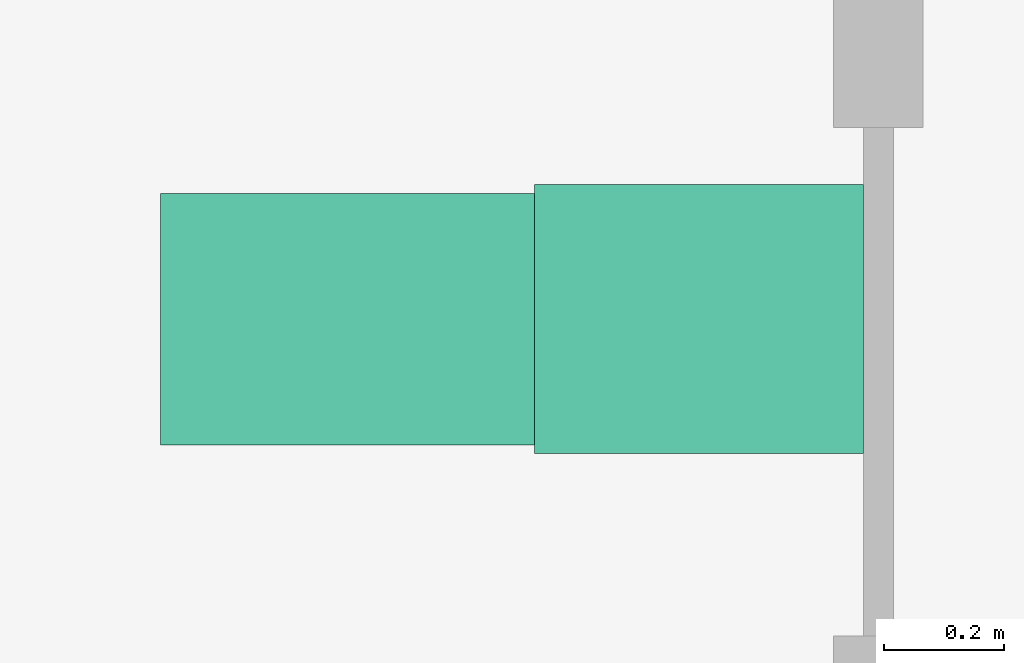
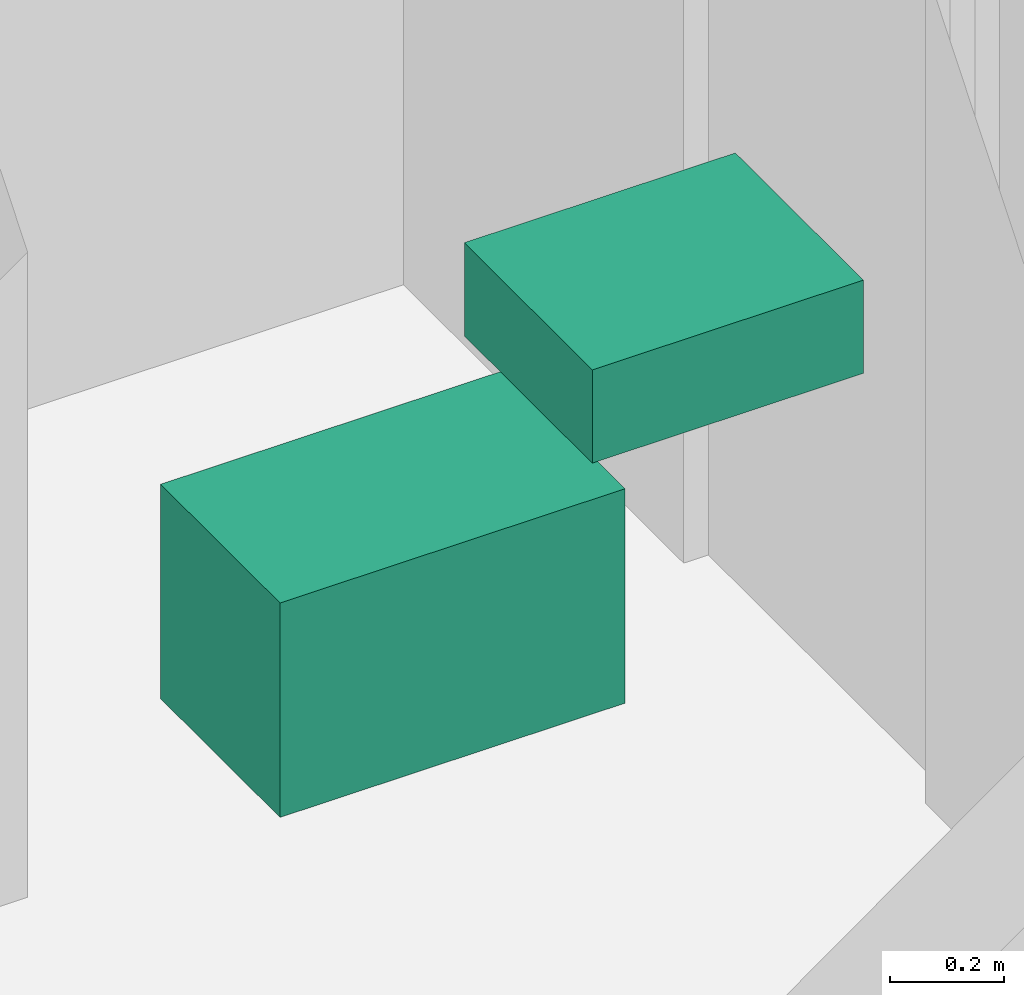
# One storey, part 28 of 28: 2 sanitary terminals.
"""IFC4 building model written with IfcOpenShell, lengths in metres."""

import ifcopenshell
import ifcopenshell.guid

model = None  # the IFC model being written
_history = None  # IfcOwnerHistory: only IFC2X3 demands one
_inside = {}  # id of a spatial element -> (the spatial element, [elements in it])
_under = {}  # id of a project, library or spatial element -> (it, [spatial elements below it])
_declared = {}  # id of a project -> (the project, [libraries it declares])
_typed = {}  # id of a type object -> (the type object, [elements of that type])
_made_of = {}  # id of a material, layer set ... -> (it, [elements and type objects made of it])


def new_model(schema):
    """Start an empty IFC model of exactly this schema.

    Asked for "IFC4X3", IfcOpenShell would pick the latest addendum, in which some entities
    have other attributes; the version numbers below select the first issue.
    IFC2X3 requires an IfcOwnerHistory on every rooted entity: one is made here for all.
    """
    global model, _history
    if schema == "IFC4X3":
        model = ifcopenshell.file(schema_version=(4, 3, 0, 0))
    else:
        model = ifcopenshell.file(schema=schema)
    _inside.clear()
    _under.clear()
    _declared.clear()
    _typed.clear()
    _made_of.clear()
    _history = None
    if model.schema == "IFC2X3":
        org = make("IfcOrganization", Name="unknown")
        user = make(
            "IfcPersonAndOrganization",
            ThePerson=make("IfcPerson", FamilyName="unknown"),
            TheOrganization=org,
        )
        app = make(
            "IfcApplication",
            ApplicationDeveloper=org,
            Version="unknown",
            ApplicationFullName="unknown",
            ApplicationIdentifier="unknown",
        )
        _history = make(
            "IfcOwnerHistory",
            OwningUser=user,
            OwningApplication=app,
            ChangeAction="ADDED",
            CreationDate=0,
        )
    return model


def make(cls, **values):
    """One entity of the class cls with the attributes given. An attribute that is None is left unset."""
    return model.create_entity(
        cls, **{name: value for name, value in values.items() if value is not None}
    )


def rooted(cls, **values):
    """An entity with a GlobalId (a new one), such as an element, a storey or a relation."""
    return make(cls, GlobalId=ifcopenshell.guid.new(), OwnerHistory=_history, **values)


def si_unit(unit_type, name, prefix=None):
    """IfcSIUnit, for example si_unit("LENGTHUNIT", "METRE", prefix="MILLI")."""
    return make("IfcSIUnit", UnitType=unit_type, Prefix=prefix, Name=name)


def assignment(units):
    """IfcUnitAssignment: the units of a project."""
    return None if units is None else make("IfcUnitAssignment", Units=units)


def point(xyz):
    """IfcCartesianPoint."""
    return None if xyz is None else make("IfcCartesianPoint", Coordinates=xyz)


def direction(xyz):
    """IfcDirection."""
    return None if xyz is None else make("IfcDirection", DirectionRatios=xyz)


def frame(location, z_axis=None, x_axis=None):
    """IfcAxis2Placement3D, a coordinate frame: its origin and axes. An axis left out is left unset."""
    return make(
        "IfcAxis2Placement3D",
        Location=point(location),
        Axis=direction(z_axis),
        RefDirection=direction(x_axis),
    )


def frame_2d(location, x_axis=None):
    """IfcAxis2Placement2D, a coordinate frame in the plane: its origin and x axis."""
    return make(
        "IfcAxis2Placement2D", Location=point(location), RefDirection=direction(x_axis)
    )


def origin():
    """The frame at (0, 0, 0) with its axes left unset."""
    return frame((0.0, 0.0, 0.0))


def origin_2d():
    """The frame at (0, 0) in the plane with its x axis left unset."""
    return frame_2d((0.0, 0.0))


def place(relative_to, where):
    """IfcLocalPlacement: puts the frame where relative to a parent placement (None: the world)."""
    return make(
        "IfcLocalPlacement", PlacementRelTo=relative_to, RelativePlacement=where
    )


def context(
    kind, dimensions, precision=None, world=None, true_north=None, identifier=None
):
    """IfcGeometricRepresentationContext, for example the 3D "Model" context."""
    return make(
        "IfcGeometricRepresentationContext",
        ContextIdentifier=identifier,
        ContextType=kind,
        CoordinateSpaceDimension=dimensions,
        Precision=precision,
        WorldCoordinateSystem=world,
        TrueNorth=true_north,
    )


def subcontext(parent, identifier, kind, view, scale=None):
    """IfcGeometricRepresentationSubContext, for example "Body" below "Model"."""
    return make(
        "IfcGeometricRepresentationSubContext",
        ContextIdentifier=identifier,
        ContextType=kind,
        ParentContext=parent,
        TargetScale=scale,
        TargetView=view,
    )


def project(units=None, contexts=None):
    """IfcProject with its units and contexts."""
    return rooted(
        "IfcProject",
        Name="project",
        RepresentationContexts=contexts,
        UnitsInContext=assignment(units),
    )


def spatial(cls, under=None, at=None, **own):
    """A site, building, storey or space (cls), placed at a placement, below another one or the project."""
    s = rooted(cls, ObjectPlacement=at, **own)
    if under is not None:
        _under.setdefault(under.id(), (under, []))[1].append(s)
    return s


def profile(cls, at=None, kind="AREA", **sizes):
    """A parametric profile (cls). Its sizes go by their IFC names, for example OverallWidth=200.0."""
    return make(cls, ProfileType=kind, Position=at, **sizes)


def rectangle(**sizes):
    """IfcRectangleProfileDef."""
    return profile("IfcRectangleProfileDef", **sizes)


def extrude(swept, where, along, depth):
    """IfcExtrudedAreaSolid: the profile swept, set in the frame where, extruded along a direction by depth."""
    return make(
        "IfcExtrudedAreaSolid",
        SweptArea=swept,
        Position=where,
        ExtrudedDirection=direction(along),
        Depth=depth,
    )


def shape(context_of_items, identifier, shape_type, items):
    """IfcShapeRepresentation: the items that make up one representation, for example the "Body"."""
    return make(
        "IfcShapeRepresentation",
        ContextOfItems=context_of_items,
        RepresentationIdentifier=identifier,
        RepresentationType=shape_type,
        Items=items,
    )


def material(Name=None, Category=None):
    """IfcMaterial."""
    return make("IfcMaterial", Name=Name, Category=Category)


def made_of(thing, what):
    """Note that an element or type object is made of a material, layer set ...; save() writes the relation."""
    if what is not None:
        _made_of.setdefault(what.id(), (what, []))[1].append(thing)
    return thing


def type_object(cls, material=None, **own):
    """A type object (cls), such as IfcWallType, which elements share."""
    return made_of(rooted(cls, **own), material)


def element(
    cls,
    number,
    at=None,
    inside=None,
    cuts=None,
    type_object=None,
    material=None,
    context=None,
    identifier="Body",
    shape_type=None,
    held_by="IfcProductDefinitionShape",
    body=None,
    shapes=None,
    **own,
):
    """One element of the class cls, such as IfcWall. Its Tag is "e" and its number.

    at: its placement. inside: the storey or other place that contains it. cuts: it is an
    opening in that element (IfcRelVoidsElement). A single representation is given by context,
    identifier, shape_type and body (its items); several are given by shapes. held_by: the class
    of the entity that holds the representations. save() writes the other relations.
    """
    e = rooted(cls, Tag="e%d" % number, ObjectPlacement=at, **own)
    if body is not None:
        shapes = [shape(context, identifier, shape_type, body)]
    if shapes is not None:
        e.Representation = make(held_by, Representations=shapes)
    if inside is not None:
        _inside.setdefault(inside.id(), (inside, []))[1].append(e)
    if cuts is not None:
        rooted(
            "IfcRelVoidsElement", RelatingBuildingElement=cuts, RelatedOpeningElement=e
        )
    if type_object is not None:
        _typed.setdefault(type_object.id(), (type_object, []))[1].append(e)
    return made_of(e, material)


def aggregate(whole, parts):
    """IfcRelAggregates: a whole, such as a stair, and the parts it consists of."""
    return rooted("IfcRelAggregates", RelatingObject=whole, RelatedObjects=parts)


def save(model, path):
    """Write the relations noted so far, then the file.

    IfcRelAggregates (storeys below a building ...), IfcRelContainedInSpatialStructure (elements
    in a storey), IfcRelDefinesByType, IfcRelAssociatesMaterial and IfcRelDeclares: one each for
    every whole, place, type object, material and project.
    """
    for whole, parts in _under.values():
        aggregate(whole, parts)
    for where, things in _inside.values():
        rooted(
            "IfcRelContainedInSpatialStructure",
            RelatedElements=things,
            RelatingStructure=where,
        )
    for kind, things in _typed.values():
        rooted("IfcRelDefinesByType", RelatedObjects=things, RelatingType=kind)
    for what, things in _made_of.values():
        rooted("IfcRelAssociatesMaterial", RelatedObjects=things, RelatingMaterial=what)
    for by, libraries in _declared.values():
        rooted("IfcRelDeclares", RelatingContext=by, RelatedDefinitions=libraries)
    model.write(path)


model = new_model("IFC4")

# Units and contexts
model_context = context("Model", 3, precision=1e-05, world=origin(), true_north=direction((0.0, 1.0)))
body_context = subcontext(model_context, "Body", "Model", "MODEL_VIEW")
ifc_project = project(units=[si_unit("LENGTHUNIT", "METRE"), si_unit("AREAUNIT", "SQUARE_METRE"), si_unit("VOLUMEUNIT", "CUBIC_METRE"), si_unit("PLANEANGLEUNIT", "RADIAN"), si_unit("MASSUNIT", "GRAM", prefix="KILO")], contexts=[model_context])

# Site, building, storey
site_placement = place(None, origin())
site = spatial("IfcSite", under=ifc_project, at=site_placement, CompositionType="ELEMENT")
building_placement = place(site_placement, origin())
building = spatial("IfcBuilding", under=site, at=building_placement, Name="Surkhivell Harbour Commons", CompositionType="ELEMENT")
storey_placement = place(building_placement, frame((0.0, 0.0, 249.75)))
storey = spatial("IfcBuildingStorey", under=building, at=storey_placement, Name="L65", CompositionType="ELEMENT", Elevation=249.75)

# Sanitary terminals
ifc_material_1 = material(Name="Vitreous china washbasin", Category="other")
sanitary_terminal_type_1 = type_object("IfcSanitaryTerminalType", Name="SAN-BSN", PredefinedType="WASHHANDBASIN", material=ifc_material_1)
sanitary_terminal_1_placement = place(storey_placement, frame((-1.10009765625, 6.5, 0.72021484375), z_axis=(0.0, 0.0, 1.0), x_axis=(1.0, 0.0, 0.0)))
element("IfcSanitaryTerminal", 1, at=sanitary_terminal_1_placement, inside=storey, type_object=sanitary_terminal_type_1, Name="L65 Core Accessible WC Washbasin", PredefinedType="WASHHANDBASIN", context=body_context, shape_type="SweptSolid", body=[
    extrude(rectangle(XDim=0.550048828125, YDim=0.449951171875, at=origin_2d()), origin(), (0.0, 0.0, 1.0), 0.199951171875),
])
ifc_material_2 = material(Name="Vitreous china sanitaryware", Category="other")
sanitary_terminal_type_2 = type_object("IfcSanitaryTerminalType", Name="SAN-WC-ACC", PredefinedType="TOILETPAN", material=ifc_material_2)
sanitary_terminal_2_placement = place(storey_placement, frame((-1.64990234375, 6.5, 0.169921875), z_axis=(0.0, 0.0, 1.0), x_axis=(1.0, 0.0, 0.0)))
element("IfcSanitaryTerminal", 2, at=sanitary_terminal_2_placement, inside=storey, type_object=sanitary_terminal_type_2, Name="L65 Core Accessible WC", PredefinedType="TOILETPAN", context=body_context, shape_type="SweptSolid", body=[
    extrude(rectangle(XDim=0.699951171875, YDim=0.419921875, at=origin_2d()), origin(), (0.0, 0.0, 1.0), 0.4599609375),
])

save(model, "model.ifc")
